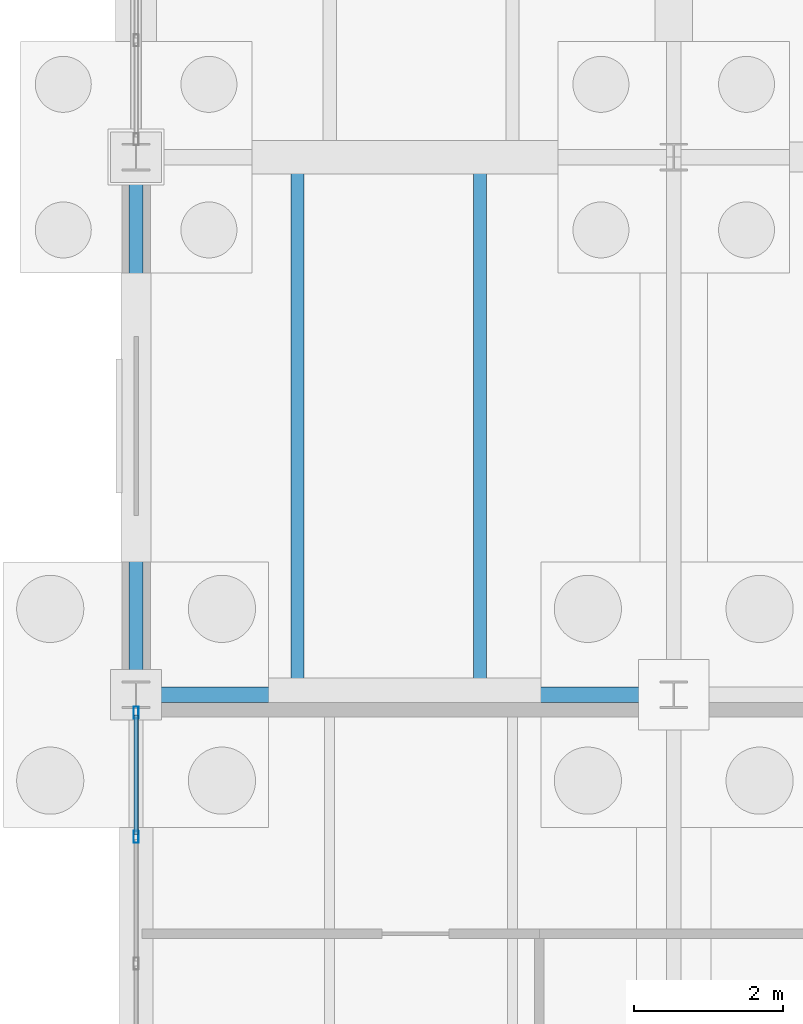
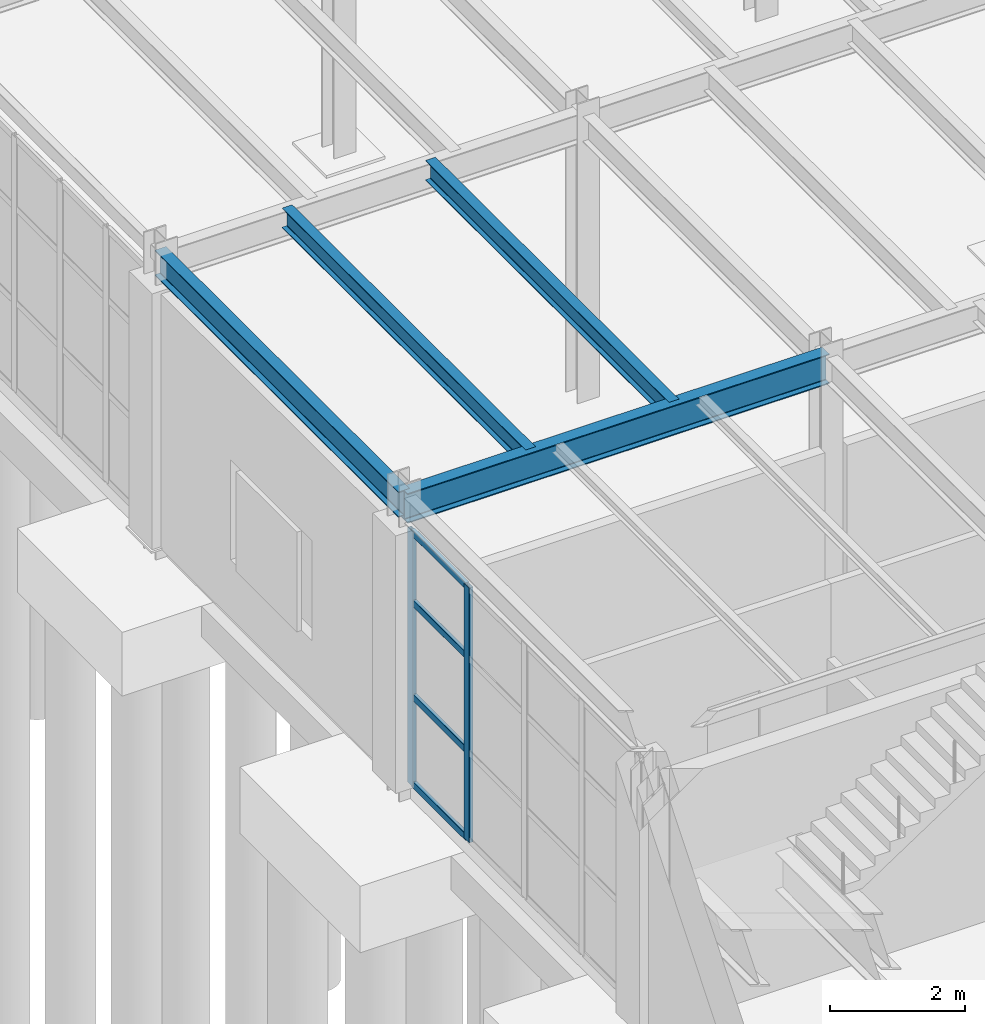
# One storey, part 63 of 293: 6 members, 4 beams, 1 element without a shape of its own.
"""IFC4 building model written with IfcOpenShell, lengths in metres."""

from ifc_helpers import new_model, si_unit, direction, frame, origin, origin_2d, place, context, subcontext, project, spatial, hollow_rectangle, i_section, extrude, material, layer, layer_set, material_profile, profile_set, type_object, element, aggregate, save


model = new_model("IFC4")

# Units and contexts
model_context = context("Model", 3, precision=1e-05, world=origin(), true_north=direction((0.0, 1.0)))
body_context = subcontext(model_context, "Body", "Model", "MODEL_VIEW")
ifc_project = project(units=[si_unit("LENGTHUNIT", "METRE"), si_unit("AREAUNIT", "SQUARE_METRE"), si_unit("VOLUMEUNIT", "CUBIC_METRE"), si_unit("PLANEANGLEUNIT", "RADIAN"), si_unit("MASSUNIT", "GRAM", prefix="KILO")], contexts=[model_context])

# Site, building, storey
site_placement = place(None, origin())
site = spatial("IfcSite", under=ifc_project, at=site_placement, CompositionType="ELEMENT")
building_placement = place(site_placement, origin())
building = spatial("IfcBuilding", under=site, at=building_placement, Name="Kemerveld Promenade Tramway Depot", CompositionType="ELEMENT")
storey_placement = place(building_placement, origin())
storey = spatial("IfcBuildingStorey", under=building, at=storey_placement, Name="L00", CompositionType="ELEMENT", Elevation=0.0)

# Beams
ifc_material_1 = material(Name="Steel S355", Category="steel")
ifc_material_profile_1 = material_profile(ifc_material_1, i_section(OverallWidth=0.2099609375, OverallDepth=0.53662109375, WebThickness=0.0107421875, FlangeThickness=0.017333984375, FilletRadius=0.0126953125, at=origin_2d()), Name="533x210x101 UB")
ifc_profile_set_1 = profile_set([ifc_material_profile_1], Name="Steel S355")
beam_type_1 = type_object("IfcBeamType", Name="BM-G05", PredefinedType="BEAM", material=ifc_profile_set_1)
beam_1_placement = place(storey_placement, frame((0.0, 57.60009765625, 4.881591796875), z_axis=(1.0, 0.0, 0.0), x_axis=(0.0, 1.0, 0.0)))
element("IfcBeam", 1, at=beam_1_placement, inside=storey, type_object=beam_type_1, Name="BMX-L00-01-02-J", PredefinedType="BEAM", context=body_context, shape_type="SweptSolid", body=[
    extrude(i_section(OverallWidth=0.2099609375, OverallDepth=0.53662109375, WebThickness=0.0107421875, FlangeThickness=0.017333984375, FilletRadius=0.0126953125, at=origin_2d()), origin(), (0.0, 0.0, 1.0), 7.199951171875),
])
ifc_material_profile_2 = material_profile(ifc_material_1, i_section(OverallWidth=0.19140625, OverallDepth=0.4599609375, WebThickness=0.010009765625, FlangeThickness=0.01611328125, FilletRadius=0.01025390625, at=origin_2d()), Name="457x191x82 UB")
ifc_profile_set_2 = profile_set([ifc_material_profile_2], Name="Steel S355")
beam_type_2 = type_object("IfcBeamType", Name="BM-G06", PredefinedType="BEAM", material=ifc_profile_set_2)
beam_2_placement = place(storey_placement, frame((0.0, 57.60009765625, 4.919921875), z_axis=(0.0, 1.0, 0.0), x_axis=(-1.0, 0.0, 0.0)))
element("IfcBeam", 2, at=beam_2_placement, inside=storey, type_object=beam_type_2, Name="BMY-L00-01-J-K", PredefinedType="BEAM", context=body_context, shape_type="SweptSolid", body=[
    extrude(i_section(OverallWidth=0.19140625, OverallDepth=0.4599609375, WebThickness=0.010009765625, FlangeThickness=0.01611328125, FilletRadius=0.01025390625, at=origin_2d()), origin(), (0.0, 0.0, 1.0), 7.199951171875),
])
ifc_material_profile_3 = material_profile(ifc_material_1, i_section(OverallWidth=0.172119140625, OverallDepth=0.35791015625, WebThickness=0.008056640625, FlangeThickness=0.012939453125, FilletRadius=0.01025390625, at=origin_2d()), Name="356x171x57 UB")
ifc_profile_set_3 = profile_set([ifc_material_profile_3], Name="Steel S355")
beam_type_3 = type_object("IfcBeamType", Name="BM-J04", PredefinedType="JOIST", material=ifc_profile_set_3)
for number, where, z_axis, x_axis, name in (
    (3, (2.159912109375, 57.60009765625, 4.970947265625), (0.0, 1.0, 0.0), (-1.0, 0.0, 0.0), "JST-L00-01-J-1"),
    (4, (4.60791015625, 57.60009765625, 4.970947265625), (0.0, 1.0, 0.0), (-1.0, 0.0, 0.0), "JST-L00-01-J-2"),
):
    element("IfcBeam", number, at=place(storey_placement, frame(where, z_axis=z_axis, x_axis=x_axis)), inside=storey, type_object=beam_type_3, Name=name, PredefinedType="JOIST", context=body_context, shape_type="SweptSolid", body=[
        extrude(i_section(OverallWidth=0.172119140625, OverallDepth=0.35791015625, WebThickness=0.008056640625, FlangeThickness=0.012939453125, FilletRadius=0.01025390625, at=origin_2d()), origin(), (0.0, 0.0, 1.0), 7.199951171875),
    ])

# Curtain wall, members
ifc_material_2 = material(Name="Bronze anodised aluminium and solar glass", Category="aluminium")
ifc_layer = layer(ifc_material_2, 0.159912109375)
ifc_layer_set = layer_set([ifc_layer], Name="CW-SYS-11")
curtain_wall_type = type_object("IfcCurtainWallType", Name="CW-SYS-11", PredefinedType="USERDEFINED", material=ifc_layer_set)
curtain_wall_placement = place(storey_placement, origin())
curtain_wall = element("IfcCurtainWall", 5, at=curtain_wall_placement, inside=storey, type_object=curtain_wall_type, Name="CW-L00-V5W-08", ObjectType="GLAZED_CURTAIN_WALL", PredefinedType="USERDEFINED")
ifc_material_3 = material(Name="Bronze anodised aluminium", Category="aluminium")
ifc_material_profile_4 = material_profile(ifc_material_3, hollow_rectangle(XDim=0.06494140625, YDim=0.159912109375, WallThickness=0.00390625, InnerFilletRadius=0.001953125, OuterFilletRadius=0.00390625, at=origin_2d()), Name="CW-MUL-160x65")
ifc_profile_set_4 = profile_set([ifc_material_profile_4], Name="Bronze anodised aluminium")
member_type_1 = type_object("IfcMemberType", Name="CW-MUL-A", PredefinedType="MULLION", material=ifc_profile_set_4)
member_1_placement = place(storey_placement, frame((0.0, 55.69677734375, 0.0), z_axis=(0.0, 0.0, 1.0), x_axis=(-1.0, 0.0, 0.0)))
member_1 = element("IfcMember", 6, at=member_1_placement, type_object=member_type_1, Name="CW11 mullion 4", PredefinedType="MULLION", context=body_context, shape_type="SweptSolid", body=[
    extrude(hollow_rectangle(XDim=0.06494140625, YDim=0.159912109375, WallThickness=0.00390625, InnerFilletRadius=0.001953125, OuterFilletRadius=0.00390625, at=origin_2d()), origin(), (0.0, 0.0, 1.0), 4.593505859375),
])
member_2_placement = place(storey_placement, frame((0.0, 57.361083984375, 0.0), z_axis=(0.0, 0.0, 1.0), x_axis=(-1.0, 0.0, 0.0)))
member_2 = element("IfcMember", 7, at=member_2_placement, type_object=member_type_1, Name="CW11 mullion 5", PredefinedType="MULLION", context=body_context, shape_type="SweptSolid", body=[
    extrude(hollow_rectangle(XDim=0.06494140625, YDim=0.159912109375, WallThickness=0.00390625, InnerFilletRadius=0.001953125, OuterFilletRadius=0.00390625, at=origin_2d()), origin(), (0.0, 0.0, 1.0), 4.593505859375),
])
ifc_material_profile_5 = material_profile(ifc_material_3, hollow_rectangle(XDim=0.06005859375, YDim=0.1201171875, WallThickness=0.00390625, InnerFilletRadius=0.001953125, OuterFilletRadius=0.00390625, at=origin_2d()), Name="CW-TRN-120x60")
ifc_profile_set_5 = profile_set([ifc_material_profile_5], Name="Bronze anodised aluminium")
member_type_2 = type_object("IfcMemberType", Name="CW-TRN-A", PredefinedType="USERDEFINED", material=ifc_profile_set_5)
member_3_placement = place(storey_placement, frame((0.0, 55.729248046875, 0.030029296875), z_axis=(0.0, 1.0, 0.0), x_axis=(-1.0, 0.0, 0.0)))
member_3 = element("IfcMember", 8, at=member_3_placement, type_object=member_type_2, Name="CW11 transom 4.1", ObjectType="TRANSOM", PredefinedType="USERDEFINED", context=body_context, shape_type="SweptSolid", body=[
    extrude(hollow_rectangle(XDim=0.06005859375, YDim=0.1201171875, WallThickness=0.00390625, InnerFilletRadius=0.001953125, OuterFilletRadius=0.00390625, at=origin_2d()), origin(), (0.0, 0.0, 1.0), 1.599365234375),
])
member_4_placement = place(storey_placement, frame((0.0, 55.729248046875, 1.60791015625), z_axis=(0.0, 1.0, 0.0), x_axis=(-1.0, 0.0, 0.0)))
member_4 = element("IfcMember", 9, at=member_4_placement, type_object=member_type_2, Name="CW11 transom 4.2", ObjectType="TRANSOM", PredefinedType="USERDEFINED", context=body_context, shape_type="SweptSolid", body=[
    extrude(hollow_rectangle(XDim=0.06005859375, YDim=0.1201171875, WallThickness=0.00390625, InnerFilletRadius=0.001953125, OuterFilletRadius=0.00390625, at=origin_2d()), origin(), (0.0, 0.0, 1.0), 1.599365234375),
])
member_5_placement = place(storey_placement, frame((0.0, 55.729248046875, 3.306884765625), z_axis=(0.0, 1.0, 0.0), x_axis=(-1.0, 0.0, 0.0)))
member_5 = element("IfcMember", 10, at=member_5_placement, type_object=member_type_2, Name="CW11 transom 4.3", ObjectType="TRANSOM", PredefinedType="USERDEFINED", context=body_context, shape_type="SweptSolid", body=[
    extrude(hollow_rectangle(XDim=0.06005859375, YDim=0.1201171875, WallThickness=0.00390625, InnerFilletRadius=0.001953125, OuterFilletRadius=0.00390625, at=origin_2d()), origin(), (0.0, 0.0, 1.0), 1.599365234375),
])
member_6_placement = place(storey_placement, frame((0.0, 55.729248046875, 4.5634765625), z_axis=(0.0, 1.0, 0.0), x_axis=(-1.0, 0.0, 0.0)))
member_6 = element("IfcMember", 11, at=member_6_placement, type_object=member_type_2, Name="CW11 transom 4.4", ObjectType="TRANSOM", PredefinedType="USERDEFINED", context=body_context, shape_type="SweptSolid", body=[
    extrude(hollow_rectangle(XDim=0.06005859375, YDim=0.1201171875, WallThickness=0.00390625, InnerFilletRadius=0.001953125, OuterFilletRadius=0.00390625, at=origin_2d()), origin(), (0.0, 0.0, 1.0), 1.599365234375),
])
aggregate(curtain_wall, [member_1, member_2, member_3, member_4, member_5, member_6])

save(model, "model.ifc")
